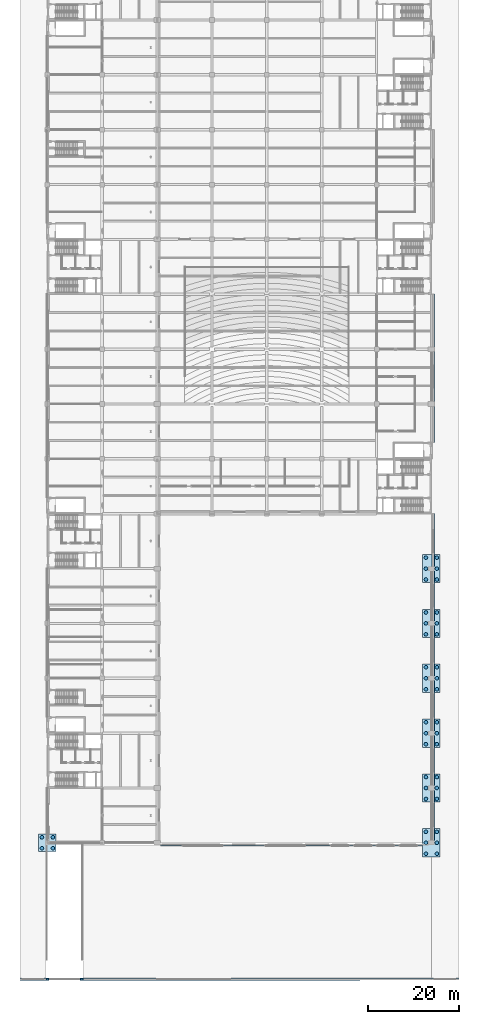
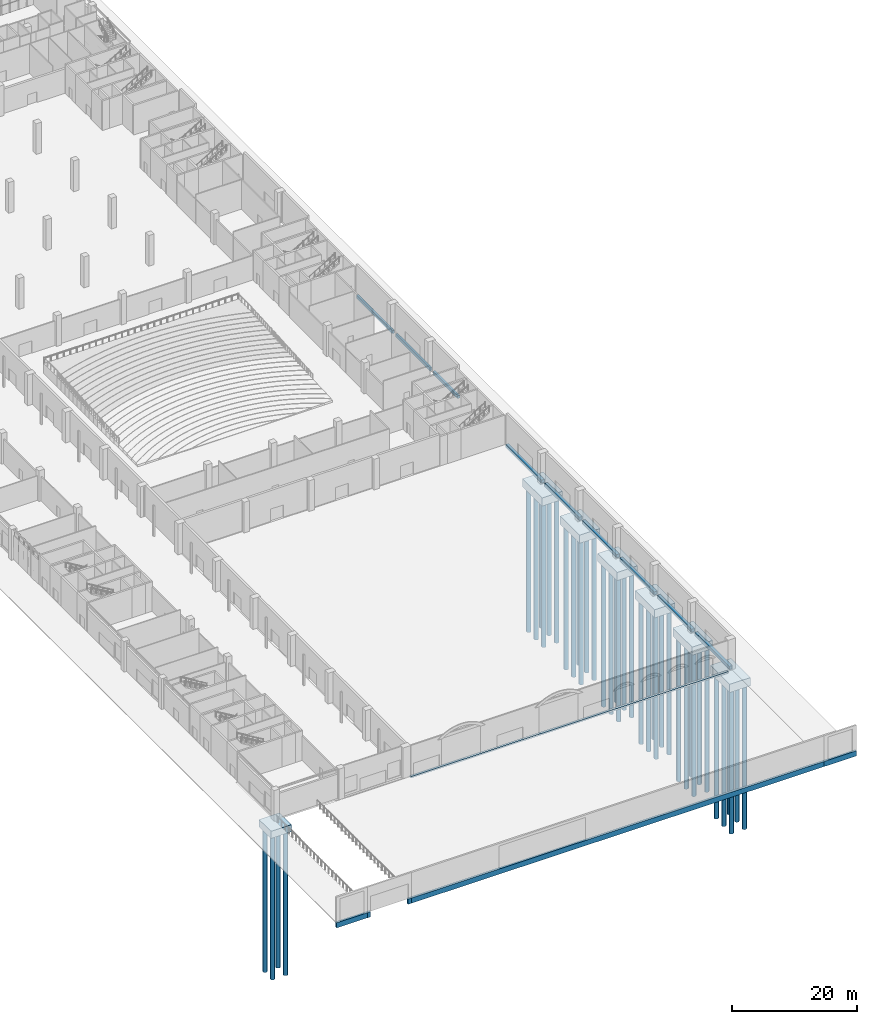
# One storey, part 1 of 59: 40 piles, 22 footings.
"""IFC4 building model written with IfcOpenShell, lengths in metres."""

from ifc_helpers import new_model, si_unit, direction, frame, origin, origin_2d, place, context, subcontext, project, spatial, polyline, circle, outline, extrude, material, layer, layer_set, material_profile, profile_set, type_object, element, save


model = new_model("IFC4")

# Units and contexts
model_context = context("Model", 3, precision=1e-05, world=origin(), true_north=direction((0.0, 1.0)))
body_context = subcontext(model_context, "Body", "Model", "MODEL_VIEW")
ifc_project = project(units=[si_unit("LENGTHUNIT", "METRE"), si_unit("AREAUNIT", "SQUARE_METRE"), si_unit("VOLUMEUNIT", "CUBIC_METRE"), si_unit("PLANEANGLEUNIT", "RADIAN"), si_unit("MASSUNIT", "GRAM", prefix="KILO")], contexts=[model_context])

# Site, building, storey
site_placement = place(None, origin())
site = spatial("IfcSite", under=ifc_project, at=site_placement, CompositionType="ELEMENT")
building_placement = place(site_placement, origin())
building = spatial("IfcBuilding", under=site, at=building_placement, Name="Lilac Gate Convention Centre", CompositionType="ELEMENT")
storey_placement = place(building_placement, origin())
storey = spatial("IfcBuildingStorey", under=building, at=storey_placement, Name="L00", CompositionType="ELEMENT", Elevation=0.0)

# Piles
ifc_material_1 = material(Name="Concrete C35", Category="concrete")
ifc_material_profile = material_profile(ifc_material_1, circle(Radius=0.39990234375, at=origin_2d()), Name="D800")
ifc_profile_set = profile_set([ifc_material_profile], Name="Concrete C35")
pile_type = type_object("IfcPileType", Name="Bored pile D800 L28 C35", PredefinedType="BORED", material=ifc_profile_set)
for number, where, z_axis, x_axis, name in (
    (1, (4.800048828125, 28.800048828125, -2.0), (0.0, 0.0, -1.0), (1.0, 0.0, 0.0), "PL1 pile 1 of PC1 at 1/A"),
    (2, (4.800048828125, 31.199951171875, -2.0), (0.0, 0.0, -1.0), (1.0, 0.0, 0.0), "PL1 pile 2 of PC1 at 1/A"),
    (3, (7.199951171875, 28.800048828125, -2.0), (0.0, 0.0, -1.0), (1.0, 0.0, 0.0), "PL1 pile 3 of PC1 at 1/A"),
    (4, (7.199951171875, 31.199951171875, -2.0), (0.0, 0.0, -1.0), (1.0, 0.0, 0.0), "PL1 pile 4 of PC1 at 1/A"),
    (5, (88.800048828125, 27.60009765625, -2.199951171875), (0.0, 0.0, -1.0), (1.0, 0.0, 0.0), "PL1 pile 1 of PC2 at 8/A"),
    (6, (88.800048828125, 30.0, -2.199951171875), (0.0, 0.0, -1.0), (1.0, 0.0, 0.0), "PL1 pile 2 of PC2 at 8/A"),
    (7, (88.800048828125, 32.39990234375, -2.199951171875), (0.0, 0.0, -1.0), (1.0, 0.0, 0.0), "PL1 pile 3 of PC2 at 8/A"),
    (8, (91.199951171875, 27.60009765625, -2.199951171875), (0.0, 0.0, -1.0), (1.0, 0.0, 0.0), "PL1 pile 4 of PC2 at 8/A"),
    (9, (91.199951171875, 30.0, -2.199951171875), (0.0, 0.0, -1.0), (1.0, 0.0, 0.0), "PL1 pile 5 of PC2 at 8/A"),
    (10, (91.199951171875, 32.39990234375, -2.199951171875), (0.0, 0.0, -1.0), (1.0, 0.0, 0.0), "PL1 pile 6 of PC2 at 8/A"),
    (11, (88.800048828125, 39.60009765625, -2.199951171875), (0.0, 0.0, -1.0), (1.0, 0.0, 0.0), "PL1 pile 1 of PC2 at 8/B"),
    (12, (88.800048828125, 42.0, -2.199951171875), (0.0, 0.0, -1.0), (1.0, 0.0, 0.0), "PL1 pile 2 of PC2 at 8/B"),
    (13, (88.800048828125, 44.39990234375, -2.199951171875), (0.0, 0.0, -1.0), (1.0, 0.0, 0.0), "PL1 pile 3 of PC2 at 8/B"),
    (14, (91.199951171875, 39.60009765625, -2.199951171875), (0.0, 0.0, -1.0), (1.0, 0.0, 0.0), "PL1 pile 4 of PC2 at 8/B"),
    (15, (91.199951171875, 42.0, -2.199951171875), (0.0, 0.0, -1.0), (1.0, 0.0, 0.0), "PL1 pile 5 of PC2 at 8/B"),
    (16, (91.199951171875, 44.39990234375, -2.199951171875), (0.0, 0.0, -1.0), (1.0, 0.0, 0.0), "PL1 pile 6 of PC2 at 8/B"),
    (17, (88.800048828125, 51.60009765625, -2.199951171875), (0.0, 0.0, -1.0), (1.0, 0.0, 0.0), "PL1 pile 1 of PC2 at 8/C"),
    (18, (88.800048828125, 54.0, -2.199951171875), (0.0, 0.0, -1.0), (1.0, 0.0, 0.0), "PL1 pile 2 of PC2 at 8/C"),
    (19, (88.800048828125, 56.39990234375, -2.199951171875), (0.0, 0.0, -1.0), (1.0, 0.0, 0.0), "PL1 pile 3 of PC2 at 8/C"),
    (20, (91.199951171875, 51.60009765625, -2.199951171875), (0.0, 0.0, -1.0), (1.0, 0.0, 0.0), "PL1 pile 4 of PC2 at 8/C"),
    (21, (91.199951171875, 54.0, -2.199951171875), (0.0, 0.0, -1.0), (1.0, 0.0, 0.0), "PL1 pile 5 of PC2 at 8/C"),
    (22, (91.199951171875, 56.39990234375, -2.199951171875), (0.0, 0.0, -1.0), (1.0, 0.0, 0.0), "PL1 pile 6 of PC2 at 8/C"),
    (23, (88.800048828125, 63.60009765625, -2.199951171875), (0.0, 0.0, -1.0), (1.0, 0.0, 0.0), "PL1 pile 1 of PC2 at 8/D"),
    (24, (88.800048828125, 66.0, -2.199951171875), (0.0, 0.0, -1.0), (1.0, 0.0, 0.0), "PL1 pile 2 of PC2 at 8/D"),
    (25, (88.800048828125, 68.39990234375, -2.199951171875), (0.0, 0.0, -1.0), (1.0, 0.0, 0.0), "PL1 pile 3 of PC2 at 8/D"),
    (26, (91.199951171875, 63.60009765625, -2.199951171875), (0.0, 0.0, -1.0), (1.0, 0.0, 0.0), "PL1 pile 4 of PC2 at 8/D"),
    (27, (91.199951171875, 66.0, -2.199951171875), (0.0, 0.0, -1.0), (1.0, 0.0, 0.0), "PL1 pile 5 of PC2 at 8/D"),
    (28, (91.199951171875, 68.39990234375, -2.199951171875), (0.0, 0.0, -1.0), (1.0, 0.0, 0.0), "PL1 pile 6 of PC2 at 8/D"),
    (29, (88.800048828125, 75.60009765625, -2.199951171875), (0.0, 0.0, -1.0), (1.0, 0.0, 0.0), "PL1 pile 1 of PC2 at 8/E"),
    (30, (88.800048828125, 78.0, -2.199951171875), (0.0, 0.0, -1.0), (1.0, 0.0, 0.0), "PL1 pile 2 of PC2 at 8/E"),
    (31, (88.800048828125, 80.39990234375, -2.199951171875), (0.0, 0.0, -1.0), (1.0, 0.0, 0.0), "PL1 pile 3 of PC2 at 8/E"),
    (32, (91.199951171875, 75.60009765625, -2.199951171875), (0.0, 0.0, -1.0), (1.0, 0.0, 0.0), "PL1 pile 4 of PC2 at 8/E"),
    (33, (91.199951171875, 78.0, -2.199951171875), (0.0, 0.0, -1.0), (1.0, 0.0, 0.0), "PL1 pile 5 of PC2 at 8/E"),
    (34, (91.199951171875, 80.39990234375, -2.199951171875), (0.0, 0.0, -1.0), (1.0, 0.0, 0.0), "PL1 pile 6 of PC2 at 8/E"),
    (35, (88.800048828125, 87.60009765625, -2.199951171875), (0.0, 0.0, -1.0), (1.0, 0.0, 0.0), "PL1 pile 1 of PC2 at 8/F"),
    (36, (88.800048828125, 90.0, -2.199951171875), (0.0, 0.0, -1.0), (1.0, 0.0, 0.0), "PL1 pile 2 of PC2 at 8/F"),
    (37, (88.800048828125, 92.39990234375, -2.199951171875), (0.0, 0.0, -1.0), (1.0, 0.0, 0.0), "PL1 pile 3 of PC2 at 8/F"),
    (38, (91.199951171875, 87.60009765625, -2.199951171875), (0.0, 0.0, -1.0), (1.0, 0.0, 0.0), "PL1 pile 4 of PC2 at 8/F"),
    (39, (91.199951171875, 90.0, -2.199951171875), (0.0, 0.0, -1.0), (1.0, 0.0, 0.0), "PL1 pile 5 of PC2 at 8/F"),
    (40, (91.199951171875, 92.39990234375, -2.199951171875), (0.0, 0.0, -1.0), (1.0, 0.0, 0.0), "PL1 pile 6 of PC2 at 8/F"),
):
    element("IfcPile", number, at=place(storey_placement, frame(where, z_axis=z_axis, x_axis=x_axis)), inside=storey, type_object=pile_type, Name=name, PredefinedType="BORED", context=body_context, shape_type="SweptSolid", body=[
        extrude(circle(Radius=0.39990234375, at=origin_2d()), origin(), (0.0, 0.0, 1.0), 28.0),
    ])

# Footings
ifc_material_2 = material(Name="Concrete C30", Category="concrete")
ifc_layer_1 = layer(ifc_material_2, 0.60009765625)
ifc_layer_set_1 = layer_set([ifc_layer_1], Name="Concrete C30")
footing_type_1 = type_object("IfcFootingType", Name="Facade strip footing 600", PredefinedType="STRIP_FOOTING", material=ifc_layer_set_1)
footing_1_placement = place(storey_placement, frame((0.0, 0.0, -0.300048828125)))
element("IfcFooting", 41, at=footing_1_placement, inside=storey, type_object=footing_type_1, Name="Strip footing under E-W-HS-L00-1", PredefinedType="STRIP_FOOTING", context=body_context, shape_type="SweptSolid", body=[
    extrude(outline(polyline([(89.300048828125, 29.35009765625), (30.699951171875, 29.35009765625), (30.699951171875, 29.800048828125), (89.300048828125, 29.800048828125), (89.300048828125, 29.35009765625)])), origin(), (0.0, 0.0, 1.0), 0.300048828125),
])
ifc_material_3 = material(Name="Concrete C40", Category="concrete")
ifc_layer_2 = layer(ifc_material_3, 1.39990234375)
ifc_layer_set_2 = layer_set([ifc_layer_2], Name="Concrete C40")
footing_type_2 = type_object("IfcFootingType", Name="Pile cap 2x2 piles 1400 C40", PredefinedType="PILE_CAP", material=ifc_layer_set_2)
footing_2_placement = place(storey_placement, frame((0.0, 0.0, -2.0)))
element("IfcFooting", 42, at=footing_2_placement, inside=storey, type_object=footing_type_2, Name="PC1 pile cap at 1/A", PredefinedType="PILE_CAP", context=body_context, shape_type="SweptSolid", body=[
    extrude(outline(polyline([(4.10009765625, 28.10009765625), (7.89990234375, 28.10009765625), (7.89990234375, 31.89990234375), (4.10009765625, 31.89990234375), (4.10009765625, 28.10009765625)])), origin(), (0.0, 0.0, 1.0), 1.39990234375),
])
ifc_layer_3 = layer(ifc_material_3, 1.60009765625)
ifc_layer_set_3 = layer_set([ifc_layer_3], Name="Concrete C40")
footing_type_3 = type_object("IfcFootingType", Name="Pile cap 2x3 piles 1600 C40", PredefinedType="PILE_CAP", material=ifc_layer_set_3)
footing_3_placement = place(storey_placement, frame((0.0, 0.0, -2.199951171875)))
element("IfcFooting", 43, at=footing_3_placement, inside=storey, type_object=footing_type_3, Name="PC2 pile cap at 8/A", PredefinedType="PILE_CAP", context=body_context, shape_type="SweptSolid", body=[
    extrude(outline(polyline([(88.10009765625, 26.89990234375), (91.89990234375, 26.89990234375), (91.89990234375, 33.10009765625), (88.10009765625, 33.10009765625), (88.10009765625, 26.89990234375)])), origin(), (0.0, 0.0, 1.0), 1.599853515625),
])
footing_4_placement = place(storey_placement, frame((0.0, 0.0, -2.199951171875)))
element("IfcFooting", 44, at=footing_4_placement, inside=storey, type_object=footing_type_3, Name="PC2 pile cap at 8/B", PredefinedType="PILE_CAP", context=body_context, shape_type="SweptSolid", body=[
    extrude(outline(polyline([(88.10009765625, 38.89990234375), (91.89990234375, 38.89990234375), (91.89990234375, 45.10009765625), (88.10009765625, 45.10009765625), (88.10009765625, 38.89990234375)])), origin(), (0.0, 0.0, 1.0), 1.599853515625),
])
footing_5_placement = place(storey_placement, frame((0.0, 0.0, -2.199951171875)))
element("IfcFooting", 45, at=footing_5_placement, inside=storey, type_object=footing_type_3, Name="PC2 pile cap at 8/C", PredefinedType="PILE_CAP", context=body_context, shape_type="SweptSolid", body=[
    extrude(outline(polyline([(88.10009765625, 50.89990234375), (91.89990234375, 50.89990234375), (91.89990234375, 57.10009765625), (88.10009765625, 57.10009765625), (88.10009765625, 50.89990234375)])), origin(), (0.0, 0.0, 1.0), 1.599853515625),
])
footing_6_placement = place(storey_placement, frame((0.0, 0.0, -2.199951171875)))
element("IfcFooting", 46, at=footing_6_placement, inside=storey, type_object=footing_type_3, Name="PC2 pile cap at 8/D", PredefinedType="PILE_CAP", context=body_context, shape_type="SweptSolid", body=[
    extrude(outline(polyline([(88.10009765625, 62.89990234375), (91.89990234375, 62.89990234375), (91.89990234375, 69.10009765625), (88.10009765625, 69.10009765625), (88.10009765625, 62.89990234375)])), origin(), (0.0, 0.0, 1.0), 1.599853515625),
])
footing_7_placement = place(storey_placement, frame((0.0, 0.0, -2.199951171875)))
element("IfcFooting", 47, at=footing_7_placement, inside=storey, type_object=footing_type_3, Name="PC2 pile cap at 8/E", PredefinedType="PILE_CAP", context=body_context, shape_type="SweptSolid", body=[
    extrude(outline(polyline([(88.10009765625, 74.89990234375), (91.89990234375, 74.89990234375), (91.89990234375, 81.10009765625), (88.10009765625, 81.10009765625), (88.10009765625, 74.89990234375)])), origin(), (0.0, 0.0, 1.0), 1.599853515625),
])
footing_8_placement = place(storey_placement, frame((0.0, 0.0, -2.199951171875)))
element("IfcFooting", 48, at=footing_8_placement, inside=storey, type_object=footing_type_3, Name="PC2 pile cap at 8/F", PredefinedType="PILE_CAP", context=body_context, shape_type="SweptSolid", body=[
    extrude(outline(polyline([(88.10009765625, 86.89990234375), (91.89990234375, 86.89990234375), (91.89990234375, 93.10009765625), (88.10009765625, 93.10009765625), (88.10009765625, 86.89990234375)])), origin(), (0.0, 0.0, 1.0), 1.599853515625),
])
ifc_layer_4 = layer(ifc_material_3, 1.0)
ifc_layer_set_4 = layer_set([ifc_layer_4], Name="Concrete C40")
footing_type_4 = type_object("IfcFootingType", Name="Wall strip footing 1000 C40", PredefinedType="STRIP_FOOTING", material=ifc_layer_set_4)
footing_9_placement = place(storey_placement, frame((0.0, 0.0, -1.0)))
element("IfcFooting", 49, at=footing_9_placement, inside=storey, type_object=footing_type_4, Name="WF1 strip footing under E-W-BOUNDARY-E", PredefinedType="STRIP_FOOTING", context=body_context, shape_type="SweptSolid", body=[
    extrude(outline(polyline([(90.0, 0.0), (96.0, 0.0), (96.0, 0.405029296875), (90.0, 0.405029296875), (90.0, 0.0)])), origin(), (0.0, 0.0, 1.0), 1.0),
])
footing_10_placement = place(storey_placement, frame((0.0, 0.0, -1.0)))
element("IfcFooting", 50, at=footing_10_placement, inside=storey, type_object=footing_type_4, Name="WF1 strip footing under E-W-BOUNDARY-R", PredefinedType="STRIP_FOOTING", context=body_context, shape_type="SweptSolid", body=[
    extrude(outline(polyline([(5.699951171875, 0.0), (6.300048828125, 0.0), (6.300048828125, 0.405029296875), (5.699951171875, 0.405029296875), (5.699951171875, 0.0)])), origin(), (0.0, 0.0, 1.0), 1.0),
])
footing_11_placement = place(storey_placement, frame((0.0, 0.0, -1.0)))
element("IfcFooting", 51, at=footing_11_placement, inside=storey, type_object=footing_type_4, Name="WF1 strip footing under E-W-BOUNDARY-R", PredefinedType="STRIP_FOOTING", context=body_context, shape_type="SweptSolid", body=[
    extrude(outline(polyline([(13.199951171875, 0.0), (13.800048828125, 0.0), (13.800048828125, 0.405029296875), (13.199951171875, 0.405029296875), (13.199951171875, 0.0)])), origin(), (0.0, 0.0, 1.0), 1.0),
])
footing_12_placement = place(storey_placement, frame((0.0, 0.0, -1.0)))
element("IfcFooting", 52, at=footing_12_placement, inside=storey, type_object=footing_type_4, Name="WF1 strip footing under E-W-BOUNDARY-W", PredefinedType="STRIP_FOOTING", context=body_context, shape_type="SweptSolid", body=[
    extrude(outline(polyline([(0.0, 0.0), (5.699951171875, 0.0), (5.699951171875, 0.405029296875), (0.0, 0.405029296875), (0.0, 0.0)])), origin(), (0.0, 0.0, 1.0), 1.0),
])
footing_13_placement = place(storey_placement, frame((0.0, 0.0, -1.0)))
element("IfcFooting", 53, at=footing_13_placement, inside=storey, type_object=footing_type_4, Name="WF1 strip footing under E-W-BOUNDARY-Y", PredefinedType="STRIP_FOOTING", context=body_context, shape_type="SweptSolid", body=[
    extrude(outline(polyline([(13.800048828125, 0.0), (90.0, 0.0), (90.0, 0.405029296875), (13.800048828125, 0.405029296875), (13.800048828125, 0.0)])), origin(), (0.0, 0.0, 1.0), 1.0),
])
ifc_layer_5 = layer(ifc_material_3, 0.60009765625)
ifc_layer_set_5 = layer_set([ifc_layer_5], Name="Concrete C40")
footing_type_5 = type_object("IfcFootingType", Name="Wall strip footing 600 C40", PredefinedType="STRIP_FOOTING", material=ifc_layer_set_5)
footing_14_placement = place(storey_placement, frame((0.0, 0.0, -0.60009765625)))
element("IfcFooting", 54, at=footing_14_placement, inside=storey, type_object=footing_type_5, Name="WF2 strip footing under E-W-HE-L00-1", PredefinedType="STRIP_FOOTING", context=body_context, shape_type="SweptSolid", body=[
    extrude(outline(polyline([(90.10009765625, 30.5), (90.64990234375, 30.5), (90.64990234375, 41.5), (90.10009765625, 41.5), (90.10009765625, 30.5)])), origin(), (0.0, 0.0, 1.0), 0.60009765625),
])
footing_15_placement = place(storey_placement, frame((0.0, 0.0, -0.60009765625)))
element("IfcFooting", 55, at=footing_15_placement, inside=storey, type_object=footing_type_5, Name="WF2 strip footing under E-W-HE-L00-2", PredefinedType="STRIP_FOOTING", context=body_context, shape_type="SweptSolid", body=[
    extrude(outline(polyline([(90.10009765625, 42.5), (90.64990234375, 42.5), (90.64990234375, 53.5), (90.10009765625, 53.5), (90.10009765625, 42.5)])), origin(), (0.0, 0.0, 1.0), 0.60009765625),
])
footing_16_placement = place(storey_placement, frame((0.0, 0.0, -0.60009765625)))
element("IfcFooting", 56, at=footing_16_placement, inside=storey, type_object=footing_type_5, Name="WF2 strip footing under E-W-HE-L00-3", PredefinedType="STRIP_FOOTING", context=body_context, shape_type="SweptSolid", body=[
    extrude(outline(polyline([(90.10009765625, 54.5), (90.64990234375, 54.5), (90.64990234375, 65.5), (90.10009765625, 65.5), (90.10009765625, 54.5)])), origin(), (0.0, 0.0, 1.0), 0.60009765625),
])
footing_17_placement = place(storey_placement, frame((0.0, 0.0, -0.60009765625)))
element("IfcFooting", 57, at=footing_17_placement, inside=storey, type_object=footing_type_5, Name="WF2 strip footing under E-W-HE-L00-4", PredefinedType="STRIP_FOOTING", context=body_context, shape_type="SweptSolid", body=[
    extrude(outline(polyline([(90.10009765625, 66.5), (90.64990234375, 66.5), (90.64990234375, 77.5), (90.10009765625, 77.5), (90.10009765625, 66.5)])), origin(), (0.0, 0.0, 1.0), 0.60009765625),
])
footing_18_placement = place(storey_placement, frame((0.0, 0.0, -0.60009765625)))
element("IfcFooting", 58, at=footing_18_placement, inside=storey, type_object=footing_type_5, Name="WF2 strip footing under E-W-HE-L00-5", PredefinedType="STRIP_FOOTING", context=body_context, shape_type="SweptSolid", body=[
    extrude(outline(polyline([(90.10009765625, 78.5), (90.64990234375, 78.5), (90.64990234375, 89.5), (90.10009765625, 89.5), (90.10009765625, 78.5)])), origin(), (0.0, 0.0, 1.0), 0.60009765625),
])
footing_19_placement = place(storey_placement, frame((0.0, 0.0, -0.60009765625)))
element("IfcFooting", 59, at=footing_19_placement, inside=storey, type_object=footing_type_5, Name="WF2 strip footing under E-W-HE-L00-6", PredefinedType="STRIP_FOOTING", context=body_context, shape_type="SweptSolid", body=[
    extrude(outline(polyline([(90.10009765625, 90.5), (90.64990234375, 90.5), (90.64990234375, 102.0), (90.10009765625, 102.0), (90.10009765625, 90.5)])), origin(), (0.0, 0.0, 1.0), 0.60009765625),
])
footing_20_placement = place(storey_placement, frame((0.0, 0.0, -0.60009765625)))
element("IfcFooting", 60, at=footing_20_placement, inside=storey, type_object=footing_type_5, Name="WF2 strip footing under E-W-HE-L00-7", PredefinedType="STRIP_FOOTING", context=body_context, shape_type="SweptSolid", body=[
    extrude(outline(polyline([(90.25, 117.60009765625), (90.64990234375, 117.60009765625), (90.64990234375, 125.5), (90.25, 125.5), (90.25, 117.60009765625)])), origin(), (0.0, 0.0, 1.0), 0.60009765625),
])
footing_21_placement = place(storey_placement, frame((0.0, 0.0, -0.60009765625)))
element("IfcFooting", 61, at=footing_21_placement, inside=storey, type_object=footing_type_5, Name="WF2 strip footing under E-W-HE-L00-8", PredefinedType="STRIP_FOOTING", context=body_context, shape_type="SweptSolid", body=[
    extrude(outline(polyline([(90.25, 126.5), (90.64990234375, 126.5), (90.64990234375, 137.5), (90.25, 137.5), (90.25, 126.5)])), origin(), (0.0, 0.0, 1.0), 0.60009765625),
])
footing_22_placement = place(storey_placement, frame((0.0, 0.0, -0.60009765625)))
element("IfcFooting", 62, at=footing_22_placement, inside=storey, type_object=footing_type_5, Name="WF2 strip footing under E-W-HE-L00-9", PredefinedType="STRIP_FOOTING", context=body_context, shape_type="SweptSolid", body=[
    extrude(outline(polyline([(90.25, 138.5), (90.64990234375, 138.5), (90.64990234375, 150.0), (90.25, 150.0), (90.25, 138.5)])), origin(), (0.0, 0.0, 1.0), 0.60009765625),
])

save(model, "model.ifc")
